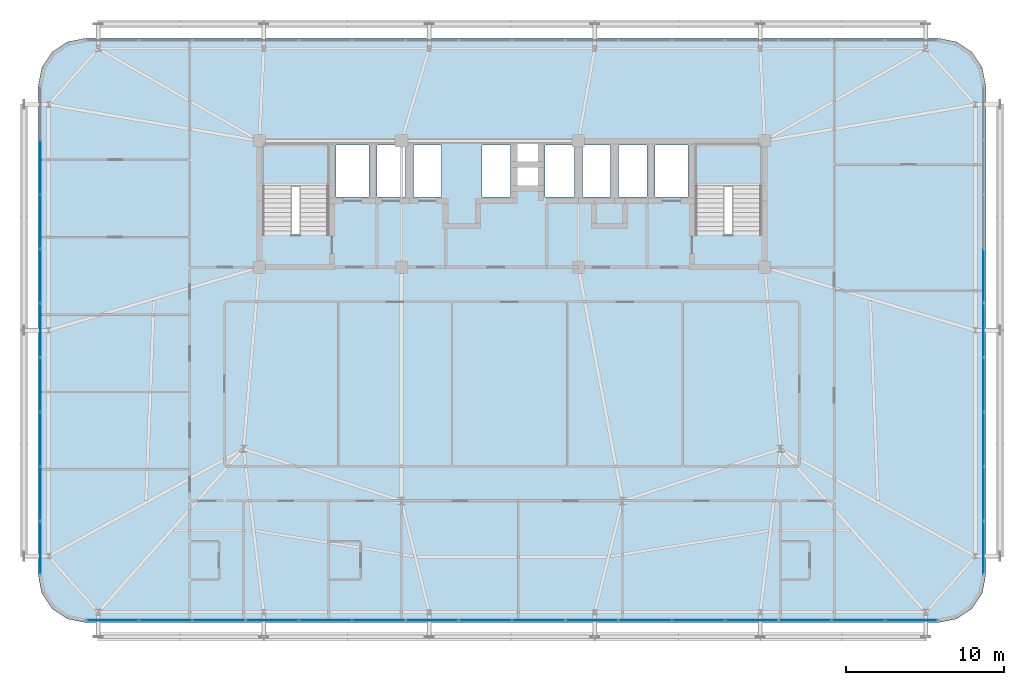
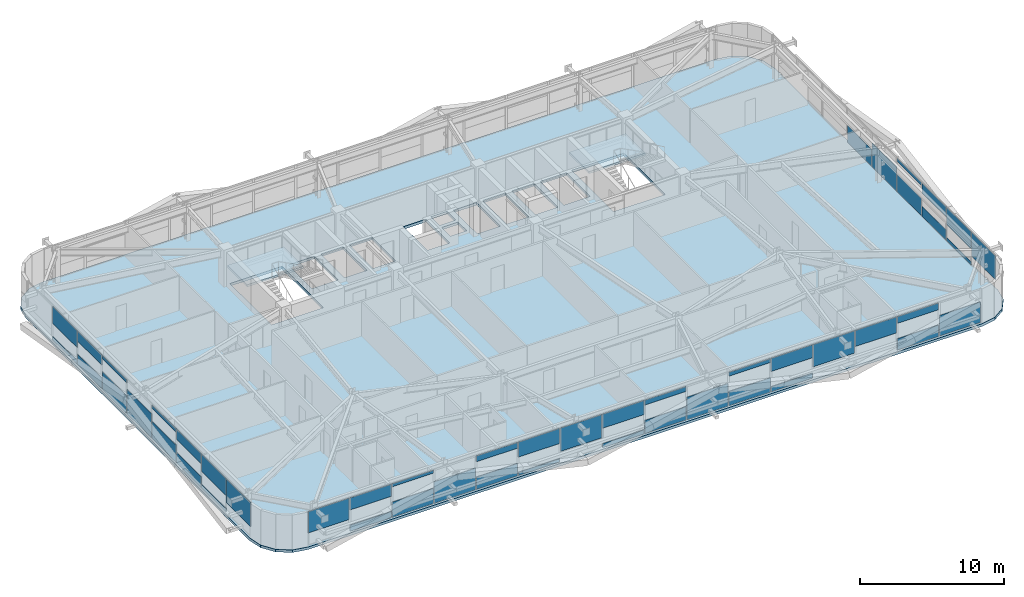
# One storey, part 42 of 58: 48 plates, 3 slabs, 5 elements without a shape of their own.
"""IFC4 building model written with IfcOpenShell, lengths in metres."""

from ifc_helpers import new_model, si_unit, direction, frame, origin, origin_2d, place, context, subcontext, project, spatial, polyline, rectangle, outline, extrude, source, transform, mapped, material, layer, layer_set, type_object, element, aggregate, save


model = new_model("IFC4")

# Units and contexts
model_context = context("Model", 3, precision=1e-05, world=origin(), true_north=direction((0.0, 1.0)))
body_context = subcontext(model_context, "Body", "Model", "MODEL_VIEW")
ifc_project = project(units=[si_unit("LENGTHUNIT", "METRE"), si_unit("AREAUNIT", "SQUARE_METRE"), si_unit("VOLUMEUNIT", "CUBIC_METRE"), si_unit("PLANEANGLEUNIT", "RADIAN"), si_unit("MASSUNIT", "GRAM", prefix="KILO")], contexts=[model_context])

# Site, building, storey
site_placement = place(None, origin())
site = spatial("IfcSite", under=ifc_project, at=site_placement, CompositionType="ELEMENT")
building_placement = place(site_placement, origin())
building = spatial("IfcBuilding", under=site, at=building_placement, Name="Taldren Reach Tower", CompositionType="ELEMENT")
storey_placement = place(building_placement, frame((0.0, 0.0, 35.699951171875)))
storey = spatial("IfcBuildingStorey", under=building, at=storey_placement, Name="L10", CompositionType="ELEMENT", Elevation=35.699951171875)

# Slab
ifc_material_1 = material(Name="Concrete N40 (40 MPa)", Category="concrete")
ifc_layer_1 = layer(ifc_material_1, 0.219970703125)
ifc_layer_set_1 = layer_set([ifc_layer_1], Name="Concrete N40 (40 MPa)")
slab_type_1 = type_object("IfcSlabType", Name="SL-FLR-220", PredefinedType="FLOOR", material=ifc_layer_set_1)
slab_1_placement = place(storey_placement, frame((0.0, 0.0, -0.219970703125)))
element("IfcSlab", 1, at=slab_1_placement, inside=storey, type_object=slab_type_1, Name="Suspended floor slab L10", PredefinedType="FLOOR", context=body_context, shape_type="SweptSolid", body=[
    extrude(outline(polyline([(62.0, 1.5), (63.14794921875, 1.728271484375), (64.121337890625, 2.378662109375), (64.771728515625, 3.35205078125), (65.0, 4.5), (65.0, 35.5), (64.771728515625, 36.64794921875), (64.121337890625, 37.621337890625), (63.14794921875, 38.271728515625), (62.0, 38.5), (8.0, 38.5), (6.85205078125, 38.271728515625), (5.878662109375, 37.621337890625), (5.228271484375, 36.64794921875), (5.0, 35.5), (5.0, 4.5), (5.228271484375, 3.35205078125), (5.878662109375, 2.378662109375), (6.85205078125, 1.728271484375), (8.0, 1.5), (62.0, 1.5)]), holes=[polyline([(19.219970703125, 26.050048828125), (23.3798828125, 26.050048828125), (23.3798828125, 31.820068359375), (19.219970703125, 31.820068359375), (19.219970703125, 26.050048828125)]), polyline([(46.6201171875, 26.050048828125), (50.780029296875, 26.050048828125), (50.780029296875, 31.820068359375), (46.6201171875, 31.820068359375), (46.6201171875, 26.050048828125)]), polyline([(23.85009765625, 28.449951171875), (25.949951171875, 28.449951171875), (25.949951171875, 31.75), (23.85009765625, 31.75), (23.85009765625, 28.449951171875)]), polyline([(44.050048828125, 28.449951171875), (46.14990234375, 28.449951171875), (46.14990234375, 31.75), (44.050048828125, 31.75), (44.050048828125, 28.449951171875)]), polyline([(26.449951171875, 28.449951171875), (28.25, 28.449951171875), (28.25, 31.75), (26.449951171875, 31.75), (26.449951171875, 28.449951171875)]), polyline([(28.75, 28.449951171875), (30.550048828125, 28.449951171875), (30.550048828125, 31.75), (28.75, 31.75), (28.75, 28.449951171875)]), polyline([(33.10009765625, 28.449951171875), (34.89990234375, 28.449951171875), (34.89990234375, 31.75), (33.10009765625, 31.75), (33.10009765625, 28.449951171875)]), polyline([(37.10009765625, 28.449951171875), (38.949951171875, 28.449951171875), (38.949951171875, 31.75), (37.10009765625, 31.75), (37.10009765625, 28.449951171875)]), polyline([(39.449951171875, 28.449951171875), (41.25, 28.449951171875), (41.25, 31.75), (39.449951171875, 31.75), (39.449951171875, 28.449951171875)]), polyline([(41.75, 28.449951171875), (43.550048828125, 28.449951171875), (43.550048828125, 31.75), (41.75, 31.75), (41.75, 28.449951171875)]), polyline([(35.35009765625, 30.64990234375), (36.64990234375, 30.64990234375), (36.64990234375, 31.85009765625), (35.35009765625, 31.85009765625), (35.35009765625, 30.64990234375)]), polyline([(35.35009765625, 29.14990234375), (36.64990234375, 29.14990234375), (36.64990234375, 30.35009765625), (35.35009765625, 30.35009765625), (35.35009765625, 29.14990234375)])]), origin(), (0.0, 0.0, 1.0), 0.219970703125),
])

# Stair, slab
ifc_material_2 = material(Name="Concrete S50 (50 MPa)", Category="concrete")
stair_type = type_object("IfcStairType", Name="ST-HT-315", PredefinedType="HALF_TURN_STAIR", material=ifc_material_2)
stair_1_placement = place(storey_placement, origin())
stair_1 = element("IfcStair", 2, at=stair_1_placement, inside=storey, type_object=stair_type, Name="Fire-isolated exit stair ST1 L10", PredefinedType="HALF_TURN_STAIR")
ifc_layer_2 = layer(ifc_material_2, 0.179931640625)
ifc_layer_set_2 = layer_set([ifc_layer_2], Name="Concrete S50 (50 MPa)")
slab_type_2 = type_object("IfcSlabType", Name="SL-LAND-180", PredefinedType="LANDING", material=ifc_layer_set_2)
slab_2_placement = place(storey_placement, frame((0.0, 0.0, 1.39501953125)))
slab_2 = element("IfcSlab", 3, at=slab_2_placement, type_object=slab_type_2, Name="ST1 landing 1", PredefinedType="LANDING", context=body_context, shape_type="SweptSolid", body=[
    extrude(outline(polyline([(19.0400390625, 29.135009765625), (23.56005859375, 29.135009765625), (23.56005859375, 31.8701171875), (19.0400390625, 31.8701171875), (19.0400390625, 29.135009765625)])), origin(), (0.0, 0.0, 1.0), 0.179931640625),
])
aggregate(stair_1, [slab_2])

stair_2_placement = place(storey_placement, origin())
stair_2 = element("IfcStair", 4, at=stair_2_placement, inside=storey, type_object=stair_type, Name="Fire-isolated exit stair ST2 L10", PredefinedType="HALF_TURN_STAIR")
slab_3_placement = place(storey_placement, frame((0.0, 0.0, 1.39501953125)))
slab_3 = element("IfcSlab", 5, at=slab_3_placement, type_object=slab_type_2, Name="ST2 landing 1", PredefinedType="LANDING", context=body_context, shape_type="SweptSolid", body=[
    extrude(outline(polyline([(46.43994140625, 29.135009765625), (50.9599609375, 29.135009765625), (50.9599609375, 31.8701171875), (46.43994140625, 31.8701171875), (46.43994140625, 29.135009765625)])), origin(), (0.0, 0.0, 1.0), 0.179931640625),
])
aggregate(stair_2, [slab_3])

# Curtain wall, plates
ifc_material_3 = material(Name="Aluminium and Low-E Glass Unitised System", Category="aluminium")
ifc_layer_3 = layer(ifc_material_3, 0.159912109375)
ifc_layer_set_3 = layer_set([ifc_layer_3], Name="Aluminium and Low-E Glass Unitised System")
curtain_wall_type = type_object("IfcCurtainWallType", Name="CW-SYS-2", PredefinedType="NOTDEFINED", material=ifc_layer_set_3)
curtain_wall_1_placement = place(storey_placement, origin())
curtain_wall_1 = element("IfcCurtainWall", 6, at=curtain_wall_1_placement, inside=storey, type_object=curtain_wall_type, Name="Unitised curtain wall CW-L10-S", PredefinedType="NOTDEFINED")
ifc_material_4 = material(Name="Solar-Control Double Glazed IGU", Category="glass")
ifc_layer_4 = layer(ifc_material_4, 0.031982421875)
ifc_layer_set_4 = layer_set([ifc_layer_4], Name="Solar-Control Double Glazed IGU")
plate_type = type_object("IfcPlateType", Name="CW-PNL-IGU32", PredefinedType="CURTAIN_PANEL", material=ifc_layer_set_4)
shared_shape_1 = source(origin(), body_context, "Body", "SweptSolid", [
    extrude(rectangle(XDim=3.277587890625, YDim=0.031982421875, at=origin_2d()), origin(), (0.0, 0.0, 1.0), 1.73876953125),
])
plate_1_placement = place(storey_placement, frame((60.296142578125, 1.639892578125, 0.054931640625), z_axis=(0.0, 0.0, 1.0), x_axis=(1.0, 0.0, 0.0)))
plate_1 = element("IfcPlate", 7, at=plate_1_placement, type_object=plate_type, Name="CW-2 panel 16.1 part 1", PredefinedType="CURTAIN_PANEL", context=body_context, shape_type="MappedRepresentation", body=[
    mapped(shared_shape_1, transform((0.0, 0.0, 0.0), scale=1.0)),
])
shared_shape_2 = source(origin(), body_context, "Body", "SweptSolid", [
    extrude(rectangle(XDim=3.31005859375, YDim=0.031982421875, at=origin_2d()), origin(), (0.0, 0.0, 1.0), 0.9560546875),
])
plate_2_placement = place(storey_placement, frame((56.9375, 1.639892578125, 0.05517578125), z_axis=(0.0, 0.0, 1.0), x_axis=(1.0, 0.0, 0.0)))
plate_2 = element("IfcPlate", 8, at=plate_2_placement, type_object=plate_type, Name="CW-2 panel 15.1 part 1", PredefinedType="CURTAIN_PANEL", context=body_context, shape_type="MappedRepresentation", body=[
    mapped(shared_shape_2, transform((0.0, 0.0, 0.0), scale=1.0)),
])
shared_shape_3 = source(origin(), body_context, "Body", "SweptSolid", [
    extrude(rectangle(XDim=3.31005859375, YDim=0.031982421875, at=origin_2d()), origin(), (0.0, 0.0, 1.0), 0.562744140625),
])
plate_3_placement = place(storey_placement, frame((56.9375, 1.639892578125, 2.3125), z_axis=(0.0, 0.0, 1.0), x_axis=(1.0, 0.0, 0.0)))
plate_3 = element("IfcPlate", 9, at=plate_3_placement, type_object=plate_type, Name="CW-2 panel 15.1 part 2", PredefinedType="CURTAIN_PANEL", context=body_context, shape_type="MappedRepresentation", body=[
    mapped(shared_shape_3, transform((0.0, 0.0, 0.0), scale=1.0)),
])
shared_shape_4 = source(origin(), body_context, "Body", "SweptSolid", [
    extrude(rectangle(XDim=3.31005859375, YDim=0.031982421875, at=origin_2d()), origin(), (0.0, 0.0, 1.0), 1.345458984375),
])
plate_4_placement = place(storey_placement, frame((53.5625, 1.639892578125, 1.52978515625), z_axis=(0.0, 0.0, 1.0), x_axis=(1.0, 0.0, 0.0)))
plate_4 = element("IfcPlate", 10, at=plate_4_placement, type_object=plate_type, Name="CW-2 panel 14.1 part 1", PredefinedType="CURTAIN_PANEL", context=body_context, shape_type="MappedRepresentation", body=[
    mapped(shared_shape_4, transform((0.0, 0.0, 0.0), scale=1.0)),
])
shared_shape_5 = source(origin(), body_context, "Body", "SweptSolid", [
    extrude(rectangle(XDim=3.31005859375, YDim=0.031982421875, at=origin_2d()), origin(), (0.0, 0.0, 1.0), 1.881103515625),
])
plate_5_placement = place(storey_placement, frame((50.1875, 1.639892578125, 0.994140625), z_axis=(0.0, 0.0, 1.0), x_axis=(1.0, 0.0, 0.0)))
plate_5 = element("IfcPlate", 11, at=plate_5_placement, type_object=plate_type, Name="CW-2 panel 13.1 part 1", PredefinedType="CURTAIN_PANEL", context=body_context, shape_type="MappedRepresentation", body=[
    mapped(shared_shape_5, transform((0.0, 0.0, 0.0), scale=1.0)),
])
shared_shape_6 = source(origin(), body_context, "Body", "SweptSolid", [
    extrude(rectangle(XDim=3.31005859375, YDim=0.031982421875, at=origin_2d()), origin(), (0.0, 0.0, 1.0), 0.42041015625),
])
plate_6_placement = place(storey_placement, frame((46.8125, 1.639892578125, 0.05517578125), z_axis=(0.0, 0.0, 1.0), x_axis=(1.0, 0.0, 0.0)))
plate_6 = element("IfcPlate", 12, at=plate_6_placement, type_object=plate_type, Name="CW-2 panel 12.1 part 1", PredefinedType="CURTAIN_PANEL", context=body_context, shape_type="MappedRepresentation", body=[
    mapped(shared_shape_6, transform((0.0, 0.0, 0.0), scale=1.0)),
])
shared_shape_7 = source(origin(), body_context, "Body", "SweptSolid", [
    extrude(rectangle(XDim=3.31005859375, YDim=0.031982421875, at=origin_2d()), origin(), (0.0, 0.0, 1.0), 1.098388671875),
])
plate_7_placement = place(storey_placement, frame((46.8125, 1.639892578125, 1.77685546875), z_axis=(0.0, 0.0, 1.0), x_axis=(1.0, 0.0, 0.0)))
plate_7 = element("IfcPlate", 13, at=plate_7_placement, type_object=plate_type, Name="CW-2 panel 12.1 part 2", PredefinedType="CURTAIN_PANEL", context=body_context, shape_type="MappedRepresentation", body=[
    mapped(shared_shape_7, transform((0.0, 0.0, 0.0), scale=1.0)),
])
shared_shape_8 = source(origin(), body_context, "Body", "SweptSolid", [
    extrude(rectangle(XDim=3.31005859375, YDim=0.031982421875, at=origin_2d()), origin(), (0.0, 0.0, 1.0), 1.203125),
])
plate_8_placement = place(storey_placement, frame((43.4375, 1.639892578125, 0.054931640625), z_axis=(0.0, 0.0, 1.0), x_axis=(1.0, 0.0, 0.0)))
plate_8 = element("IfcPlate", 14, at=plate_8_placement, type_object=plate_type, Name="CW-2 panel 11.1 part 1", PredefinedType="CURTAIN_PANEL", context=body_context, shape_type="MappedRepresentation", body=[
    mapped(shared_shape_8, transform((0.0, 0.0, 0.0), scale=1.0)),
])
shared_shape_9 = source(origin(), body_context, "Body", "SweptSolid", [
    extrude(rectangle(XDim=3.31005859375, YDim=0.031982421875, at=origin_2d()), origin(), (0.0, 0.0, 1.0), 0.31591796875),
])
plate_9_placement = place(storey_placement, frame((43.4375, 1.639892578125, 2.55908203125), z_axis=(0.0, 0.0, 1.0), x_axis=(1.0, 0.0, 0.0)))
plate_9 = element("IfcPlate", 15, at=plate_9_placement, type_object=plate_type, Name="CW-2 panel 11.1 part 2", PredefinedType="CURTAIN_PANEL", context=body_context, shape_type="MappedRepresentation", body=[
    mapped(shared_shape_9, transform((0.0, 0.0, 0.0), scale=1.0)),
])
shared_shape_10 = source(origin(), body_context, "Body", "SweptSolid", [
    extrude(rectangle(XDim=3.31005859375, YDim=0.031982421875, at=origin_2d()), origin(), (0.0, 0.0, 1.0), 1.9033203125),
])
plate_10_placement = place(storey_placement, frame((40.0625, 1.639892578125, 0.05517578125), z_axis=(0.0, 0.0, 1.0), x_axis=(1.0, 0.0, 0.0)))
plate_10 = element("IfcPlate", 16, at=plate_10_placement, type_object=plate_type, Name="CW-2 panel 10.1 part 1", PredefinedType="CURTAIN_PANEL", context=body_context, shape_type="MappedRepresentation", body=[
    mapped(shared_shape_10, transform((0.0, 0.0, 0.0), scale=1.0)),
])
shared_shape_11 = source(origin(), body_context, "Body", "SweptSolid", [
    extrude(rectangle(XDim=3.31005859375, YDim=0.031982421875, at=origin_2d()), origin(), (0.0, 0.0, 1.0), 1.120849609375),
])
plate_11_placement = place(storey_placement, frame((36.6875, 1.639892578125, 0.05517578125), z_axis=(0.0, 0.0, 1.0), x_axis=(1.0, 0.0, 0.0)))
plate_11 = element("IfcPlate", 17, at=plate_11_placement, type_object=plate_type, Name="CW-2 panel 9.1 part 1", PredefinedType="CURTAIN_PANEL", context=body_context, shape_type="MappedRepresentation", body=[
    mapped(shared_shape_11, transform((0.0, 0.0, 0.0), scale=1.0)),
])
shared_shape_12 = source(origin(), body_context, "Body", "SweptSolid", [
    extrude(rectangle(XDim=3.31005859375, YDim=0.031982421875, at=origin_2d()), origin(), (0.0, 0.0, 1.0), 0.398193359375),
])
plate_12_placement = place(storey_placement, frame((36.6875, 1.639892578125, 2.47705078125), z_axis=(0.0, 0.0, 1.0), x_axis=(1.0, 0.0, 0.0)))
plate_12 = element("IfcPlate", 18, at=plate_12_placement, type_object=plate_type, Name="CW-2 panel 9.1 part 2", PredefinedType="CURTAIN_PANEL", context=body_context, shape_type="MappedRepresentation", body=[
    mapped(shared_shape_12, transform((0.0, 0.0, 0.0), scale=1.0)),
])
shared_shape_13 = source(origin(), body_context, "Body", "SweptSolid", [
    extrude(rectangle(XDim=3.31005859375, YDim=0.031982421875, at=origin_2d()), origin(), (0.0, 0.0, 1.0), 0.338134765625),
])
plate_13_placement = place(storey_placement, frame((33.3125, 1.639892578125, 0.05517578125), z_axis=(0.0, 0.0, 1.0), x_axis=(1.0, 0.0, 0.0)))
plate_13 = element("IfcPlate", 19, at=plate_13_placement, type_object=plate_type, Name="CW-2 panel 8.1 part 1", PredefinedType="CURTAIN_PANEL", context=body_context, shape_type="MappedRepresentation", body=[
    mapped(shared_shape_13, transform((0.0, 0.0, 0.0), scale=1.0)),
])
shared_shape_14 = source(origin(), body_context, "Body", "SweptSolid", [
    extrude(rectangle(XDim=3.31005859375, YDim=0.031982421875, at=origin_2d()), origin(), (0.0, 0.0, 1.0), 1.1806640625),
])
plate_14_placement = place(storey_placement, frame((33.3125, 1.639892578125, 1.6943359375), z_axis=(0.0, 0.0, 1.0), x_axis=(1.0, 0.0, 0.0)))
plate_14 = element("IfcPlate", 20, at=plate_14_placement, type_object=plate_type, Name="CW-2 panel 8.1 part 2", PredefinedType="CURTAIN_PANEL", context=body_context, shape_type="MappedRepresentation", body=[
    mapped(shared_shape_14, transform((0.0, 0.0, 0.0), scale=1.0)),
])
shared_shape_15 = source(origin(), body_context, "Body", "SweptSolid", [
    extrude(rectangle(XDim=3.31005859375, YDim=0.031982421875, at=origin_2d()), origin(), (0.0, 0.0, 1.0), 1.96337890625),
])
plate_15_placement = place(storey_placement, frame((29.9375, 1.639892578125, 0.91162109375), z_axis=(0.0, 0.0, 1.0), x_axis=(1.0, 0.0, 0.0)))
plate_15 = element("IfcPlate", 21, at=plate_15_placement, type_object=plate_type, Name="CW-2 panel 7.1 part 1", PredefinedType="CURTAIN_PANEL", context=body_context, shape_type="MappedRepresentation", body=[
    mapped(shared_shape_15, transform((0.0, 0.0, 0.0), scale=1.0)),
])
shared_shape_16 = source(origin(), body_context, "Body", "SweptSolid", [
    extrude(rectangle(XDim=3.31005859375, YDim=0.031982421875, at=origin_2d()), origin(), (0.0, 0.0, 1.0), 0.255859375),
])
plate_16_placement = place(storey_placement, frame((26.5625, 1.639892578125, 0.05517578125), z_axis=(0.0, 0.0, 1.0), x_axis=(1.0, 0.0, 0.0)))
plate_16 = element("IfcPlate", 22, at=plate_16_placement, type_object=plate_type, Name="CW-2 panel 6.1 part 1", PredefinedType="CURTAIN_PANEL", context=body_context, shape_type="MappedRepresentation", body=[
    mapped(shared_shape_16, transform((0.0, 0.0, 0.0), scale=1.0)),
])
shared_shape_17 = source(origin(), body_context, "Body", "SweptSolid", [
    extrude(rectangle(XDim=3.31005859375, YDim=0.031982421875, at=origin_2d()), origin(), (0.0, 0.0, 1.0), 1.26318359375),
])
plate_17_placement = place(storey_placement, frame((26.5625, 1.639892578125, 1.61181640625), z_axis=(0.0, 0.0, 1.0), x_axis=(1.0, 0.0, 0.0)))
plate_17 = element("IfcPlate", 23, at=plate_17_placement, type_object=plate_type, Name="CW-2 panel 6.1 part 2", PredefinedType="CURTAIN_PANEL", context=body_context, shape_type="MappedRepresentation", body=[
    mapped(shared_shape_17, transform((0.0, 0.0, 0.0), scale=1.0)),
])
shared_shape_18 = source(origin(), body_context, "Body", "SweptSolid", [
    extrude(rectangle(XDim=3.31005859375, YDim=0.031982421875, at=origin_2d()), origin(), (0.0, 0.0, 1.0), 1.03857421875),
])
plate_18_placement = place(storey_placement, frame((23.1875, 1.639892578125, 0.054931640625), z_axis=(0.0, 0.0, 1.0), x_axis=(1.0, 0.0, 0.0)))
plate_18 = element("IfcPlate", 24, at=plate_18_placement, type_object=plate_type, Name="CW-2 panel 5.1 part 1", PredefinedType="CURTAIN_PANEL", context=body_context, shape_type="MappedRepresentation", body=[
    mapped(shared_shape_18, transform((0.0, 0.0, 0.0), scale=1.0)),
])
shared_shape_19 = source(origin(), body_context, "Body", "SweptSolid", [
    extrude(rectangle(XDim=3.31005859375, YDim=0.031982421875, at=origin_2d()), origin(), (0.0, 0.0, 1.0), 0.48046875),
])
plate_19_placement = place(storey_placement, frame((23.1875, 1.639892578125, 2.39453125), z_axis=(0.0, 0.0, 1.0), x_axis=(1.0, 0.0, 0.0)))
plate_19 = element("IfcPlate", 25, at=plate_19_placement, type_object=plate_type, Name="CW-2 panel 5.1 part 2", PredefinedType="CURTAIN_PANEL", context=body_context, shape_type="MappedRepresentation", body=[
    mapped(shared_shape_19, transform((0.0, 0.0, 0.0), scale=1.0)),
])
shared_shape_20 = source(origin(), body_context, "Body", "SweptSolid", [
    extrude(rectangle(XDim=3.31005859375, YDim=0.031982421875, at=origin_2d()), origin(), (0.0, 0.0, 1.0), 1.821044921875),
])
plate_20_placement = place(storey_placement, frame((19.8125, 1.639892578125, 0.05517578125), z_axis=(0.0, 0.0, 1.0), x_axis=(1.0, 0.0, 0.0)))
plate_20 = element("IfcPlate", 26, at=plate_20_placement, type_object=plate_type, Name="CW-2 panel 4.1 part 1", PredefinedType="CURTAIN_PANEL", context=body_context, shape_type="MappedRepresentation", body=[
    mapped(shared_shape_20, transform((0.0, 0.0, 0.0), scale=1.0)),
])
shared_shape_21 = source(origin(), body_context, "Body", "SweptSolid", [
    extrude(rectangle(XDim=3.31005859375, YDim=0.031982421875, at=origin_2d()), origin(), (0.0, 0.0, 1.0), 1.285400390625),
])
plate_21_placement = place(storey_placement, frame((16.4375, 1.639892578125, 0.05517578125), z_axis=(0.0, 0.0, 1.0), x_axis=(1.0, 0.0, 0.0)))
plate_21 = element("IfcPlate", 27, at=plate_21_placement, type_object=plate_type, Name="CW-2 panel 3.1 part 1", PredefinedType="CURTAIN_PANEL", context=body_context, shape_type="MappedRepresentation", body=[
    mapped(shared_shape_21, transform((0.0, 0.0, 0.0), scale=1.0)),
])
shared_shape_22 = source(origin(), body_context, "Body", "SweptSolid", [
    extrude(rectangle(XDim=3.31005859375, YDim=0.031982421875, at=origin_2d()), origin(), (0.0, 0.0, 1.0), 0.233642578125),
])
plate_22_placement = place(storey_placement, frame((16.4375, 1.639892578125, 2.6416015625), z_axis=(0.0, 0.0, 1.0), x_axis=(1.0, 0.0, 0.0)))
plate_22 = element("IfcPlate", 28, at=plate_22_placement, type_object=plate_type, Name="CW-2 panel 3.1 part 2", PredefinedType="CURTAIN_PANEL", context=body_context, shape_type="MappedRepresentation", body=[
    mapped(shared_shape_22, transform((0.0, 0.0, 0.0), scale=1.0)),
])
shared_shape_23 = source(origin(), body_context, "Body", "SweptSolid", [
    extrude(rectangle(XDim=3.31005859375, YDim=0.031982421875, at=origin_2d()), origin(), (0.0, 0.0, 1.0), 0.5029296875),
])
plate_23_placement = place(storey_placement, frame((13.0625, 1.639892578125, 0.054931640625), z_axis=(0.0, 0.0, 1.0), x_axis=(1.0, 0.0, 0.0)))
plate_23 = element("IfcPlate", 29, at=plate_23_placement, type_object=plate_type, Name="CW-2 panel 2.1 part 1", PredefinedType="CURTAIN_PANEL", context=body_context, shape_type="MappedRepresentation", body=[
    mapped(shared_shape_23, transform((0.0, 0.0, 0.0), scale=1.0)),
])
shared_shape_24 = source(origin(), body_context, "Body", "SweptSolid", [
    extrude(rectangle(XDim=3.31005859375, YDim=0.031982421875, at=origin_2d()), origin(), (0.0, 0.0, 1.0), 1.01611328125),
])
plate_24_placement = place(storey_placement, frame((13.0625, 1.639892578125, 1.85888671875), z_axis=(0.0, 0.0, 1.0), x_axis=(1.0, 0.0, 0.0)))
plate_24 = element("IfcPlate", 30, at=plate_24_placement, type_object=plate_type, Name="CW-2 panel 2.1 part 2", PredefinedType="CURTAIN_PANEL", context=body_context, shape_type="MappedRepresentation", body=[
    mapped(shared_shape_24, transform((0.0, 0.0, 0.0), scale=1.0)),
])
shared_shape_25 = source(origin(), body_context, "Body", "SweptSolid", [
    extrude(rectangle(XDim=3.277587890625, YDim=0.031982421875, at=origin_2d()), origin(), (0.0, 0.0, 1.0), 1.798583984375),
])
plate_25_placement = place(storey_placement, frame((9.703857421875, 1.639892578125, 1.076171875), z_axis=(0.0, 0.0, 1.0), x_axis=(1.0, 0.0, 0.0)))
plate_25 = element("IfcPlate", 31, at=plate_25_placement, type_object=plate_type, Name="CW-2 panel 1.1 part 1", PredefinedType="CURTAIN_PANEL", context=body_context, shape_type="MappedRepresentation", body=[
    mapped(shared_shape_25, transform((0.0, 0.0, 0.0), scale=1.0)),
])
aggregate(curtain_wall_1, [plate_25, plate_23, plate_24, plate_21, plate_22, plate_20, plate_18, plate_19, plate_16, plate_17, plate_15, plate_13, plate_14, plate_11, plate_12, plate_10, plate_8, plate_9, plate_6, plate_7, plate_5, plate_4, plate_2, plate_3, plate_1])

# Curtain wall, plate
curtain_wall_2_placement = place(storey_placement, origin())
curtain_wall_2 = element("IfcCurtainWall", 32, at=curtain_wall_2_placement, inside=storey, type_object=curtain_wall_type, Name="Unitised curtain wall CW-L10-W", PredefinedType="NOTDEFINED")
shared_shape_26 = source(origin(), body_context, "Body", "SweptSolid", [
    extrude(rectangle(XDim=3.346923828125, YDim=0.031982421875, at=origin_2d()), origin(), (0.0, 0.0, 1.0), 2.015380859375),
])
plate_26_placement = place(storey_placement, frame((5.139892578125, 6.238525390625, 0.85986328125), z_axis=(0.0, 0.0, 1.0), x_axis=(0.0, -1.0, 0.0)))
plate_26 = element("IfcPlate", 33, at=plate_26_placement, type_object=plate_type, Name="CW-2 panel 9.1 part 1", PredefinedType="CURTAIN_PANEL", context=body_context, shape_type="MappedRepresentation", body=[
    mapped(shared_shape_26, transform((0.0, 0.0, 0.0), scale=1.0)),
])

curtain_wall_3_placement = place(storey_placement, origin())
curtain_wall_3 = element("IfcCurtainWall", 34, at=curtain_wall_3_placement, inside=storey, type_object=curtain_wall_type, Name="Unitised curtain wall CW-L10-E", PredefinedType="NOTDEFINED")
plate_27_placement = place(storey_placement, frame((64.860107421875, 6.238525390625, 0.85986328125), z_axis=(0.0, 0.0, 1.0), x_axis=(0.0, 1.0, 0.0)))
plate_27 = element("IfcPlate", 35, at=plate_27_placement, type_object=plate_type, Name="CW-2 panel 1.1 part 1", PredefinedType="CURTAIN_PANEL", context=body_context, shape_type="MappedRepresentation", body=[
    mapped(shared_shape_26, transform((0.0, 0.0, 0.0), scale=1.0)),
])

# Plate
shared_shape_27 = source(origin(), body_context, "Body", "SweptSolid", [
    extrude(rectangle(XDim=3.37939453125, YDim=0.031982421875, at=origin_2d()), origin(), (0.0, 0.0, 1.0), 0.288330078125),
])
plate_28_placement = place(storey_placement, frame((5.139892578125, 30.333251953125, 0.05517578125), z_axis=(0.0, 0.0, 1.0), x_axis=(0.0, -1.0, 0.0)))
plate_28 = element("IfcPlate", 36, at=plate_28_placement, type_object=plate_type, Name="CW-2 panel 2.1 part 1", PredefinedType="CURTAIN_PANEL", context=body_context, shape_type="MappedRepresentation", body=[
    mapped(shared_shape_27, transform((0.0, 0.0, 0.0), scale=1.0)),
])

plate_29_placement = place(storey_placement, frame((5.139892578125, 9.666748046875, 0.05517578125), z_axis=(0.0, 0.0, 1.0), x_axis=(0.0, -1.0, 0.0)))
plate_29 = element("IfcPlate", 37, at=plate_29_placement, type_object=plate_type, Name="CW-2 panel 8.1 part 1", PredefinedType="CURTAIN_PANEL", context=body_context, shape_type="MappedRepresentation", body=[
    mapped(shared_shape_27, transform((0.0, 0.0, 0.0), scale=1.0)),
])

plate_30_placement = place(storey_placement, frame((64.860107421875, 9.666748046875, 0.05517578125), z_axis=(0.0, 0.0, 1.0), x_axis=(0.0, 1.0, 0.0)))
plate_30 = element("IfcPlate", 38, at=plate_30_placement, type_object=plate_type, Name="CW-2 panel 2.1 part 1", PredefinedType="CURTAIN_PANEL", context=body_context, shape_type="MappedRepresentation", body=[
    mapped(shared_shape_27, transform((0.0, 0.0, 0.0), scale=1.0)),
])

shared_shape_28 = source(origin(), body_context, "Body", "SweptSolid", [
    extrude(rectangle(XDim=3.37939453125, YDim=0.031982421875, at=origin_2d()), origin(), (0.0, 0.0, 1.0), 1.43017578125),
])
plate_31_placement = place(storey_placement, frame((5.139892578125, 30.333251953125, 1.44482421875), z_axis=(0.0, 0.0, 1.0), x_axis=(0.0, -1.0, 0.0)))
plate_31 = element("IfcPlate", 39, at=plate_31_placement, type_object=plate_type, Name="CW-2 panel 2.1 part 2", PredefinedType="CURTAIN_PANEL", context=body_context, shape_type="MappedRepresentation", body=[
    mapped(shared_shape_28, transform((0.0, 0.0, 0.0), scale=1.0)),
])

plate_32_placement = place(storey_placement, frame((5.139892578125, 9.666748046875, 1.44482421875), z_axis=(0.0, 0.0, 1.0), x_axis=(0.0, -1.0, 0.0)))
plate_32 = element("IfcPlate", 40, at=plate_32_placement, type_object=plate_type, Name="CW-2 panel 8.1 part 2", PredefinedType="CURTAIN_PANEL", context=body_context, shape_type="MappedRepresentation", body=[
    mapped(shared_shape_28, transform((0.0, 0.0, 0.0), scale=1.0)),
])

plate_33_placement = place(storey_placement, frame((64.860107421875, 9.666748046875, 1.44482421875), z_axis=(0.0, 0.0, 1.0), x_axis=(0.0, 1.0, 0.0)))
plate_33 = element("IfcPlate", 41, at=plate_33_placement, type_object=plate_type, Name="CW-2 panel 2.1 part 2", PredefinedType="CURTAIN_PANEL", context=body_context, shape_type="MappedRepresentation", body=[
    mapped(shared_shape_28, transform((0.0, 0.0, 0.0), scale=1.0)),
])

shared_shape_29 = source(origin(), body_context, "Body", "SweptSolid", [
    extrude(rectangle(XDim=3.37939453125, YDim=0.031982421875, at=origin_2d()), origin(), (0.0, 0.0, 1.0), 0.87353515625),
])
plate_34_placement = place(storey_placement, frame((5.139892578125, 26.888916015625, 0.05517578125), z_axis=(0.0, 0.0, 1.0), x_axis=(0.0, -1.0, 0.0)))
plate_34 = element("IfcPlate", 42, at=plate_34_placement, type_object=plate_type, Name="CW-2 panel 3.1 part 1", PredefinedType="CURTAIN_PANEL", context=body_context, shape_type="MappedRepresentation", body=[
    mapped(shared_shape_29, transform((0.0, 0.0, 0.0), scale=1.0)),
])

plate_35_placement = place(storey_placement, frame((5.139892578125, 13.111083984375, 0.05517578125), z_axis=(0.0, 0.0, 1.0), x_axis=(0.0, -1.0, 0.0)))
plate_35 = element("IfcPlate", 43, at=plate_35_placement, type_object=plate_type, Name="CW-2 panel 7.1 part 1", PredefinedType="CURTAIN_PANEL", context=body_context, shape_type="MappedRepresentation", body=[
    mapped(shared_shape_29, transform((0.0, 0.0, 0.0), scale=1.0)),
])

plate_36_placement = place(storey_placement, frame((64.860107421875, 13.111083984375, 0.05517578125), z_axis=(0.0, 0.0, 1.0), x_axis=(0.0, 1.0, 0.0)))
plate_36 = element("IfcPlate", 44, at=plate_36_placement, type_object=plate_type, Name="CW-2 panel 3.1 part 1", PredefinedType="CURTAIN_PANEL", context=body_context, shape_type="MappedRepresentation", body=[
    mapped(shared_shape_29, transform((0.0, 0.0, 0.0), scale=1.0)),
])

shared_shape_30 = source(origin(), body_context, "Body", "SweptSolid", [
    extrude(rectangle(XDim=3.37939453125, YDim=0.031982421875, at=origin_2d()), origin(), (0.0, 0.0, 1.0), 0.8447265625),
])
plate_37_placement = place(storey_placement, frame((5.139892578125, 26.888916015625, 2.0302734375), z_axis=(0.0, 0.0, 1.0), x_axis=(0.0, -1.0, 0.0)))
plate_37 = element("IfcPlate", 45, at=plate_37_placement, type_object=plate_type, Name="CW-2 panel 3.1 part 2", PredefinedType="CURTAIN_PANEL", context=body_context, shape_type="MappedRepresentation", body=[
    mapped(shared_shape_30, transform((0.0, 0.0, 0.0), scale=1.0)),
])

plate_38_placement = place(storey_placement, frame((5.139892578125, 13.111083984375, 2.0302734375), z_axis=(0.0, 0.0, 1.0), x_axis=(0.0, -1.0, 0.0)))
plate_38 = element("IfcPlate", 46, at=plate_38_placement, type_object=plate_type, Name="CW-2 panel 7.1 part 2", PredefinedType="CURTAIN_PANEL", context=body_context, shape_type="MappedRepresentation", body=[
    mapped(shared_shape_30, transform((0.0, 0.0, 0.0), scale=1.0)),
])

plate_39_placement = place(storey_placement, frame((64.860107421875, 13.111083984375, 2.0302734375), z_axis=(0.0, 0.0, 1.0), x_axis=(0.0, 1.0, 0.0)))
plate_39 = element("IfcPlate", 47, at=plate_39_placement, type_object=plate_type, Name="CW-2 panel 3.1 part 2", PredefinedType="CURTAIN_PANEL", context=body_context, shape_type="MappedRepresentation", body=[
    mapped(shared_shape_30, transform((0.0, 0.0, 0.0), scale=1.0)),
])

shared_shape_31 = source(origin(), body_context, "Body", "SweptSolid", [
    extrude(rectangle(XDim=3.37939453125, YDim=0.031982421875, at=origin_2d()), origin(), (0.0, 0.0, 1.0), 1.458984375),
])
plate_40_placement = place(storey_placement, frame((5.139892578125, 23.4443359375, 0.054931640625), z_axis=(0.0, 0.0, 1.0), x_axis=(0.0, -1.0, 0.0)))
plate_40 = element("IfcPlate", 48, at=plate_40_placement, type_object=plate_type, Name="CW-2 panel 4.1 part 1", PredefinedType="CURTAIN_PANEL", context=body_context, shape_type="MappedRepresentation", body=[
    mapped(shared_shape_31, transform((0.0, 0.0, 0.0), scale=1.0)),
])

plate_41_placement = place(storey_placement, frame((5.139892578125, 16.5556640625, 0.054931640625), z_axis=(0.0, 0.0, 1.0), x_axis=(0.0, -1.0, 0.0)))
plate_41 = element("IfcPlate", 49, at=plate_41_placement, type_object=plate_type, Name="CW-2 panel 6.1 part 1", PredefinedType="CURTAIN_PANEL", context=body_context, shape_type="MappedRepresentation", body=[
    mapped(shared_shape_31, transform((0.0, 0.0, 0.0), scale=1.0)),
])

plate_42_placement = place(storey_placement, frame((64.860107421875, 16.5556640625, 0.054931640625), z_axis=(0.0, 0.0, 1.0), x_axis=(0.0, 1.0, 0.0)))
plate_42 = element("IfcPlate", 50, at=plate_42_placement, type_object=plate_type, Name="CW-2 panel 4.1 part 1", PredefinedType="CURTAIN_PANEL", context=body_context, shape_type="MappedRepresentation", body=[
    mapped(shared_shape_31, transform((0.0, 0.0, 0.0), scale=1.0)),
])

plate_43_placement = place(storey_placement, frame((64.860107421875, 23.4443359375, 0.054931640625), z_axis=(0.0, 0.0, 1.0), x_axis=(0.0, 1.0, 0.0)))
plate_43 = element("IfcPlate", 51, at=plate_43_placement, type_object=plate_type, Name="CW-2 panel 6.1 part 1", PredefinedType="CURTAIN_PANEL", context=body_context, shape_type="MappedRepresentation", body=[
    mapped(shared_shape_31, transform((0.0, 0.0, 0.0), scale=1.0)),
])

shared_shape_32 = source(origin(), body_context, "Body", "SweptSolid", [
    extrude(rectangle(XDim=3.37939453125, YDim=0.031982421875, at=origin_2d()), origin(), (0.0, 0.0, 1.0), 0.259521484375),
])
plate_44_placement = place(storey_placement, frame((5.139892578125, 23.4443359375, 2.61572265625), z_axis=(0.0, 0.0, 1.0), x_axis=(0.0, -1.0, 0.0)))
plate_44 = element("IfcPlate", 52, at=plate_44_placement, type_object=plate_type, Name="CW-2 panel 4.1 part 2", PredefinedType="CURTAIN_PANEL", context=body_context, shape_type="MappedRepresentation", body=[
    mapped(shared_shape_32, transform((0.0, 0.0, 0.0), scale=1.0)),
])

plate_45_placement = place(storey_placement, frame((5.139892578125, 16.5556640625, 2.61572265625), z_axis=(0.0, 0.0, 1.0), x_axis=(0.0, -1.0, 0.0)))
plate_45 = element("IfcPlate", 53, at=plate_45_placement, type_object=plate_type, Name="CW-2 panel 6.1 part 2", PredefinedType="CURTAIN_PANEL", context=body_context, shape_type="MappedRepresentation", body=[
    mapped(shared_shape_32, transform((0.0, 0.0, 0.0), scale=1.0)),
])

plate_46_placement = place(storey_placement, frame((64.860107421875, 16.5556640625, 2.61572265625), z_axis=(0.0, 0.0, 1.0), x_axis=(0.0, 1.0, 0.0)))
plate_46 = element("IfcPlate", 54, at=plate_46_placement, type_object=plate_type, Name="CW-2 panel 4.1 part 2", PredefinedType="CURTAIN_PANEL", context=body_context, shape_type="MappedRepresentation", body=[
    mapped(shared_shape_32, transform((0.0, 0.0, 0.0), scale=1.0)),
])

shared_shape_33 = source(origin(), body_context, "Body", "SweptSolid", [
    extrude(rectangle(XDim=3.37939453125, YDim=0.031982421875, at=origin_2d()), origin(), (0.0, 0.0, 1.0), 2.044189453125),
])
plate_47_placement = place(storey_placement, frame((5.139892578125, 20.0, 0.05517578125), z_axis=(0.0, 0.0, 1.0), x_axis=(0.0, -1.0, 0.0)))
plate_47 = element("IfcPlate", 55, at=plate_47_placement, type_object=plate_type, Name="CW-2 panel 5.1 part 1", PredefinedType="CURTAIN_PANEL", context=body_context, shape_type="MappedRepresentation", body=[
    mapped(shared_shape_33, transform((0.0, 0.0, 0.0), scale=1.0)),
])

aggregate(curtain_wall_2, [plate_28, plate_31, plate_34, plate_37, plate_40, plate_44, plate_47, plate_41, plate_45, plate_35, plate_38, plate_29, plate_32, plate_26])

plate_48_placement = place(storey_placement, frame((64.860107421875, 20.0, 0.05517578125), z_axis=(0.0, 0.0, 1.0), x_axis=(0.0, 1.0, 0.0)))
plate_48 = element("IfcPlate", 56, at=plate_48_placement, type_object=plate_type, Name="CW-2 panel 5.1 part 1", PredefinedType="CURTAIN_PANEL", context=body_context, shape_type="MappedRepresentation", body=[
    mapped(shared_shape_33, transform((0.0, 0.0, 0.0), scale=1.0)),
])

aggregate(curtain_wall_3, [plate_27, plate_30, plate_33, plate_36, plate_39, plate_42, plate_46, plate_48, plate_43])

save(model, "model.ifc")
